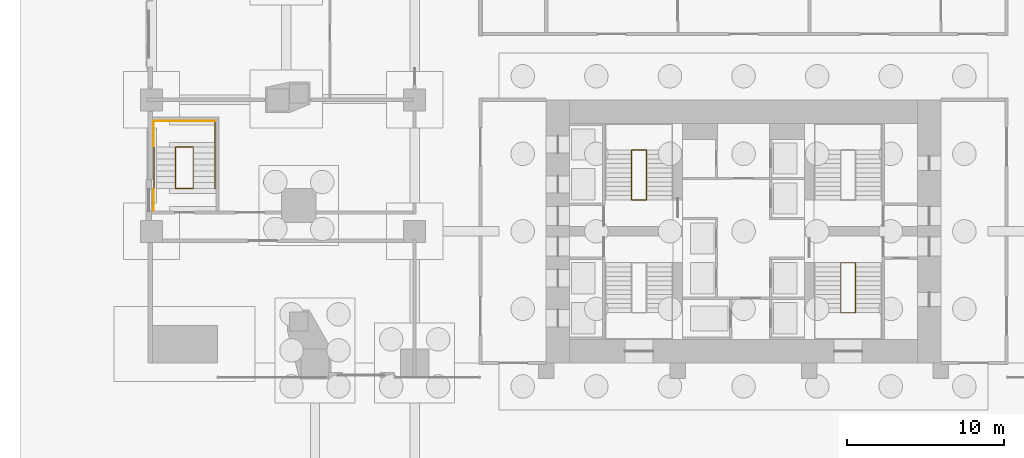
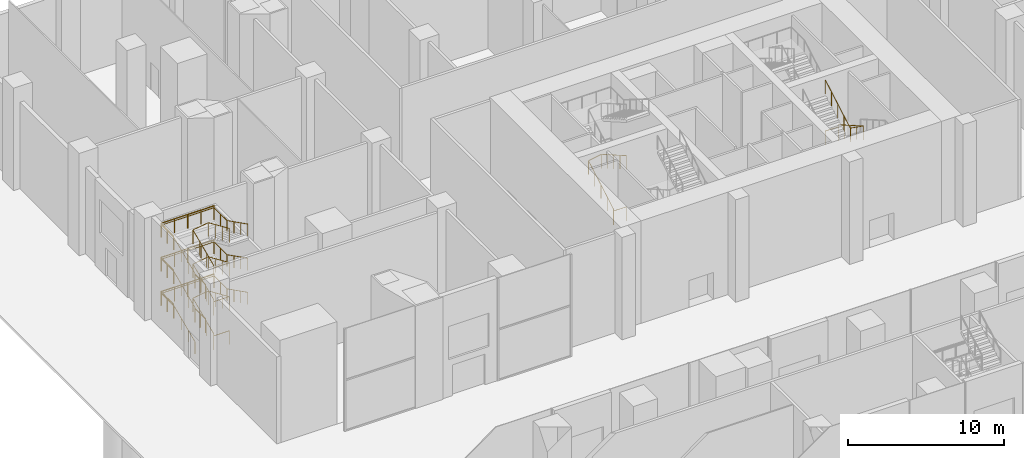
# One storey, part 26 of 31: 16 railings.
"""IFC4 building model written with IfcOpenShell, lengths in metres."""

from ifc_helpers import new_model, si_unit, direction, frame, origin, origin_2d, place, context, subcontext, project, spatial, circle, extrude, material, type_object, element, save


model = new_model("IFC4")

# Units and contexts
model_context = context("Model", 3, precision=1e-05, world=origin(), true_north=direction((0.0, 1.0)))
body_context = subcontext(model_context, "Body", "Model", "MODEL_VIEW")
ifc_project = project(units=[si_unit("LENGTHUNIT", "METRE"), si_unit("AREAUNIT", "SQUARE_METRE"), si_unit("VOLUMEUNIT", "CUBIC_METRE"), si_unit("PLANEANGLEUNIT", "RADIAN"), si_unit("MASSUNIT", "GRAM", prefix="KILO")], contexts=[model_context])

# Site, building, storey
site_placement = place(None, origin())
site = spatial("IfcSite", under=ifc_project, at=site_placement, CompositionType="ELEMENT")
building_placement = place(site_placement, origin())
building = spatial("IfcBuilding", under=site, at=building_placement, Name="Marenta Gate Hotel Tower", CompositionType="ELEMENT")
storey_placement = place(building_placement, origin())
storey = spatial("IfcBuildingStorey", under=building, at=storey_placement, Name="L00", CompositionType="ELEMENT", Elevation=0.0)

# Railings
ifc_material_1 = material(Name="Stainless steel", Category="steel")
railing_type_1 = type_object("IfcRailingType", Name="Core stair handrail 950", PredefinedType="HANDRAIL", material=ifc_material_1)
railing_1_placement = place(storey_placement, frame((-37.64990234375, 11.1298828125, 0.166748046875)))
element("IfcRailing", 1, at=railing_1_placement, inside=storey, type_object=railing_type_1, Name="HR-950 L00-KR-PX6-2", PredefinedType="HANDRAIL", context=body_context, shape_type="SweptSolid", body=[
    extrude(circle(Radius=0.02392578125, at=origin_2d()), frame((0.0, 0.0, 0.92578125), z_axis=(0.0, 0.915817496131, 0.401594713337), x_axis=(-1.0, 0.0, 0.0)), (0.0, 0.0, 1.0), 2.90478515625),
    extrude(circle(Radius=0.02392578125, at=origin_2d()), frame((0.0, 2.66015625, 2.09228515625), z_axis=(0.0, 1.0, 0.0), x_axis=(-1.0, 0.0, 0.0)), (0.0, 0.0, 1.0), 1.659912109375),
    extrude(circle(Radius=0.02392578125, at=origin_2d()), frame((0.0, 4.320068359375, 2.09228515625), z_axis=(1.0, 0.0, 0.0), x_axis=(0.0, 1.0, 0.0)), (0.0, 0.0, 1.0), 3.89990234375),
    extrude(circle(Radius=0.02392578125, at=origin_2d()), frame((3.89990234375, 4.320068359375, 2.09228515625), z_axis=(0.0, -1.0, 0.0), x_axis=(1.0, 0.0, 0.0)), (0.0, 0.0, 1.0), 1.659912109375),
    extrude(circle(Radius=0.02392578125, at=origin_2d()), frame((3.89990234375, 2.66015625, 2.09228515625), z_axis=(0.0, -0.893967264428, 0.448132268567), x_axis=(1.0, 0.0, 0.0)), (0.0, 0.0, 1.0), 2.9755859375),
    extrude(circle(Radius=0.02099609375, at=origin_2d()), origin(), (0.0, 0.0, 1.0), 0.90185546875),
    extrude(circle(Radius=0.02099609375, at=origin_2d()), frame((0.0, 0.88671875, 0.388916015625)), (0.0, 0.0, 1.0), 0.90185546875),
    extrude(circle(Radius=0.02099609375, at=origin_2d()), frame((0.0, 1.7734375, 0.777587890625)), (0.0, 0.0, 1.0), 0.90185546875),
    extrude(circle(Radius=0.02099609375, at=origin_2d()), frame((0.0, 2.66015625, 1.16650390625)), (0.0, 0.0, 1.0), 0.90185546875),
    extrude(circle(Radius=0.02099609375, at=origin_2d()), frame((0.0, 3.490234375, 1.16650390625)), (0.0, 0.0, 1.0), 0.90185546875),
    extrude(circle(Radius=0.02099609375, at=origin_2d()), frame((0.0, 4.320068359375, 1.16650390625)), (0.0, 0.0, 1.0), 0.90185546875),
    extrude(circle(Radius=0.02099609375, at=origin_2d()), frame((0.97509765625, 4.320068359375, 1.16650390625)), (0.0, 0.0, 1.0), 0.90185546875),
    extrude(circle(Radius=0.02099609375, at=origin_2d()), frame((1.949951171875, 4.320068359375, 1.16650390625)), (0.0, 0.0, 1.0), 0.90185546875),
    extrude(circle(Radius=0.02099609375, at=origin_2d()), frame((2.9248046875, 4.320068359375, 1.16650390625)), (0.0, 0.0, 1.0), 0.90185546875),
    extrude(circle(Radius=0.02099609375, at=origin_2d()), frame((3.89990234375, 4.320068359375, 1.16650390625)), (0.0, 0.0, 1.0), 0.90185546875),
    extrude(circle(Radius=0.02099609375, at=origin_2d()), frame((3.89990234375, 3.490234375, 1.16650390625)), (0.0, 0.0, 1.0), 0.90185546875),
    extrude(circle(Radius=0.02099609375, at=origin_2d()), frame((3.89990234375, 2.66015625, 1.16650390625)), (0.0, 0.0, 1.0), 0.90185546875),
    extrude(circle(Radius=0.02099609375, at=origin_2d()), frame((3.89990234375, 1.7734375, 1.611083984375)), (0.0, 0.0, 1.0), 0.90185546875),
    extrude(circle(Radius=0.02099609375, at=origin_2d()), frame((3.89990234375, 0.88671875, 2.055419921875)), (0.0, 0.0, 1.0), 0.90185546875),
    extrude(circle(Radius=0.02099609375, at=origin_2d()), frame((3.89990234375, 0.0, 2.5)), (0.0, 0.0, 1.0), 0.90185546875),
])
railing_2_placement = place(storey_placement, frame((-37.64990234375, 11.1298828125, 2.833251953125)))
element("IfcRailing", 2, at=railing_2_placement, inside=storey, type_object=railing_type_1, Name="HR-950 L00-KR-PX6-5", PredefinedType="HANDRAIL", context=body_context, shape_type="SweptSolid", body=[
    extrude(circle(Radius=0.02392578125, at=origin_2d()), frame((0.0, 0.0, 0.92578125), z_axis=(0.0, 0.915786581632, 0.401665204994), x_axis=(-1.0, 0.0, 0.0)), (0.0, 0.0, 1.0), 2.90478515625),
    extrude(circle(Radius=0.02392578125, at=origin_2d()), frame((0.0, 2.66015625, 2.0927734375), z_axis=(0.0, 1.0, 0.0), x_axis=(-1.0, 0.0, 0.0)), (0.0, 0.0, 1.0), 1.659912109375),
    extrude(circle(Radius=0.02392578125, at=origin_2d()), frame((0.0, 4.320068359375, 2.0927734375), z_axis=(1.0, 0.0, 0.0), x_axis=(0.0, 1.0, 0.0)), (0.0, 0.0, 1.0), 3.89990234375),
    extrude(circle(Radius=0.02392578125, at=origin_2d()), frame((3.89990234375, 4.320068359375, 2.0927734375), z_axis=(0.0, -1.0, 0.0), x_axis=(1.0, 0.0, 0.0)), (0.0, 0.0, 1.0), 1.659912109375),
    extrude(circle(Radius=0.02392578125, at=origin_2d()), frame((3.89990234375, 2.66015625, 2.0927734375), z_axis=(0.0, -0.894000131919, 0.448066696073), x_axis=(1.0, 0.0, 0.0)), (0.0, 0.0, 1.0), 2.9755859375),
    extrude(circle(Radius=0.02099609375, at=origin_2d()), origin(), (0.0, 0.0, 1.0), 0.90185546875),
    extrude(circle(Radius=0.02099609375, at=origin_2d()), frame((0.0, 0.88671875, 0.388916015625)), (0.0, 0.0, 1.0), 0.90185546875),
    extrude(circle(Radius=0.02099609375, at=origin_2d()), frame((0.0, 1.7734375, 0.77783203125)), (0.0, 0.0, 1.0), 0.90185546875),
    extrude(circle(Radius=0.02099609375, at=origin_2d()), frame((0.0, 2.66015625, 1.166748046875)), (0.0, 0.0, 1.0), 0.90185546875),
    extrude(circle(Radius=0.02099609375, at=origin_2d()), frame((0.0, 3.490234375, 1.166748046875)), (0.0, 0.0, 1.0), 0.90185546875),
    extrude(circle(Radius=0.02099609375, at=origin_2d()), frame((0.0, 4.320068359375, 1.166748046875)), (0.0, 0.0, 1.0), 0.90185546875),
    extrude(circle(Radius=0.02099609375, at=origin_2d()), frame((0.97509765625, 4.320068359375, 1.166748046875)), (0.0, 0.0, 1.0), 0.90185546875),
    extrude(circle(Radius=0.02099609375, at=origin_2d()), frame((1.949951171875, 4.320068359375, 1.166748046875)), (0.0, 0.0, 1.0), 0.90185546875),
    extrude(circle(Radius=0.02099609375, at=origin_2d()), frame((2.9248046875, 4.320068359375, 1.166748046875)), (0.0, 0.0, 1.0), 0.90185546875),
    extrude(circle(Radius=0.02099609375, at=origin_2d()), frame((3.89990234375, 4.320068359375, 1.166748046875)), (0.0, 0.0, 1.0), 0.90185546875),
    extrude(circle(Radius=0.02099609375, at=origin_2d()), frame((3.89990234375, 3.490234375, 1.166748046875)), (0.0, 0.0, 1.0), 0.90185546875),
    extrude(circle(Radius=0.02099609375, at=origin_2d()), frame((3.89990234375, 2.66015625, 1.166748046875)), (0.0, 0.0, 1.0), 0.90185546875),
    extrude(circle(Radius=0.02099609375, at=origin_2d()), frame((3.89990234375, 1.7734375, 1.611083984375)), (0.0, 0.0, 1.0), 0.90185546875),
    extrude(circle(Radius=0.02099609375, at=origin_2d()), frame((3.89990234375, 0.88671875, 2.0556640625)), (0.0, 0.0, 1.0), 0.90185546875),
    extrude(circle(Radius=0.02099609375, at=origin_2d()), frame((3.89990234375, 0.0, 2.5)), (0.0, 0.0, 1.0), 0.90185546875),
])
railing_3_placement = place(storey_placement, frame((-37.64990234375, 11.1298828125, 5.5)))
element("IfcRailing", 3, at=railing_3_placement, inside=storey, type_object=railing_type_1, Name="HR-950 L00-KR-PX6-8", PredefinedType="HANDRAIL", context=body_context, shape_type="SweptSolid", body=[
    extrude(circle(Radius=0.02392578125, at=origin_2d()), frame((0.0, 0.0, 0.92578125), z_axis=(0.0, 0.915786581632, 0.401665204994), x_axis=(-1.0, 0.0, 0.0)), (0.0, 0.0, 1.0), 2.90478515625),
    extrude(circle(Radius=0.02392578125, at=origin_2d()), frame((0.0, 2.66015625, 2.0927734375), z_axis=(0.0, 1.0, 0.0), x_axis=(-1.0, 0.0, 0.0)), (0.0, 0.0, 1.0), 1.659912109375),
    extrude(circle(Radius=0.02392578125, at=origin_2d()), frame((0.0, 4.320068359375, 2.0927734375), z_axis=(1.0, 0.0, 0.0), x_axis=(0.0, 1.0, 0.0)), (0.0, 0.0, 1.0), 3.89990234375),
    extrude(circle(Radius=0.02392578125, at=origin_2d()), frame((3.89990234375, 4.320068359375, 2.0927734375), z_axis=(0.0, -1.0, 0.0), x_axis=(1.0, 0.0, 0.0)), (0.0, 0.0, 1.0), 1.659912109375),
    extrude(circle(Radius=0.02392578125, at=origin_2d()), frame((3.89990234375, 2.66015625, 2.0927734375), z_axis=(0.0, -0.894000131919, 0.448066696073), x_axis=(1.0, 0.0, 0.0)), (0.0, 0.0, 1.0), 2.9755859375),
    extrude(circle(Radius=0.02099609375, at=origin_2d()), origin(), (0.0, 0.0, 1.0), 0.90185546875),
    extrude(circle(Radius=0.02099609375, at=origin_2d()), frame((0.0, 0.88671875, 0.388916015625)), (0.0, 0.0, 1.0), 0.90185546875),
    extrude(circle(Radius=0.02099609375, at=origin_2d()), frame((0.0, 1.7734375, 0.77783203125)), (0.0, 0.0, 1.0), 0.90185546875),
    extrude(circle(Radius=0.02099609375, at=origin_2d()), frame((0.0, 2.66015625, 1.166748046875)), (0.0, 0.0, 1.0), 0.90185546875),
    extrude(circle(Radius=0.02099609375, at=origin_2d()), frame((0.0, 3.490234375, 1.166748046875)), (0.0, 0.0, 1.0), 0.90185546875),
    extrude(circle(Radius=0.02099609375, at=origin_2d()), frame((0.0, 4.320068359375, 1.166748046875)), (0.0, 0.0, 1.0), 0.90185546875),
    extrude(circle(Radius=0.02099609375, at=origin_2d()), frame((0.97509765625, 4.320068359375, 1.166748046875)), (0.0, 0.0, 1.0), 0.90185546875),
    extrude(circle(Radius=0.02099609375, at=origin_2d()), frame((1.949951171875, 4.320068359375, 1.166748046875)), (0.0, 0.0, 1.0), 0.90185546875),
    extrude(circle(Radius=0.02099609375, at=origin_2d()), frame((2.9248046875, 4.320068359375, 1.166748046875)), (0.0, 0.0, 1.0), 0.90185546875),
    extrude(circle(Radius=0.02099609375, at=origin_2d()), frame((3.89990234375, 4.320068359375, 1.166748046875)), (0.0, 0.0, 1.0), 0.90185546875),
    extrude(circle(Radius=0.02099609375, at=origin_2d()), frame((3.89990234375, 3.490234375, 1.166748046875)), (0.0, 0.0, 1.0), 0.90185546875),
    extrude(circle(Radius=0.02099609375, at=origin_2d()), frame((3.89990234375, 2.66015625, 1.166748046875)), (0.0, 0.0, 1.0), 0.90185546875),
    extrude(circle(Radius=0.02099609375, at=origin_2d()), frame((3.89990234375, 1.7734375, 1.611083984375)), (0.0, 0.0, 1.0), 0.90185546875),
    extrude(circle(Radius=0.02099609375, at=origin_2d()), frame((3.89990234375, 0.88671875, 2.0556640625)), (0.0, 0.0, 1.0), 0.90185546875),
    extrude(circle(Radius=0.02099609375, at=origin_2d()), frame((3.89990234375, 0.0, 2.5)), (0.0, 0.0, 1.0), 0.90185546875),
])
ifc_material_2 = material(Name="Stainless steel", Category="steel")
railing_type_2 = type_object("IfcRailingType", Name="Core stair well guard 1100", PredefinedType="GUARDRAIL", material=ifc_material_2)
railing_4_placement = place(storey_placement, frame((-6.199951171875, 10.39990234375, 0.0)))
element("IfcRailing", 4, at=railing_4_placement, inside=storey, type_object=railing_type_2, Name="GR-1100 L00-KR-ST2-2", PredefinedType="GUARDRAIL", context=body_context, shape_type="SweptSolid", body=[
    extrude(circle(Radius=0.02392578125, at=origin_2d()), frame((0.0, 0.0, 1.076171875), z_axis=(-1.0, 0.0, 0.0), x_axis=(0.0, -1.0, 0.0)), (0.0, 0.0, 1.0), 0.949951171875),
    extrude(circle(Radius=0.02392578125, at=origin_2d()), frame((-0.949951171875, 0.0, 1.076171875), z_axis=(0.0, 0.0, 1.0), x_axis=(1.0, 0.0, 0.0)), (0.0, 0.0, 1.0), 0.166748046875),
    extrude(circle(Radius=0.02392578125, at=origin_2d()), frame((-0.949951171875, 0.0, 1.24267578125), z_axis=(0.0, 0.8670360191, 0.498245463184), x_axis=(-1.0, 0.0, 0.0)), (0.0, 0.0, 1.0), 3.679443359375),
    extrude(circle(Radius=0.02392578125, at=origin_2d()), frame((-0.949951171875, 3.190185546875, 3.076171875), z_axis=(0.984941147704, 0.0, 0.172889952167), x_axis=(0.0, 1.0, 0.0)), (0.0, 0.0, 1.0), 0.96435546875),
    extrude(circle(Radius=0.02392578125, at=origin_2d()), frame((0.0, 3.190185546875, 3.24267578125), z_axis=(0.0, -0.8670360191, 0.498245463184), x_axis=(1.0, 0.0, 0.0)), (0.0, 0.0, 1.0), 3.679443359375),
    extrude(circle(Radius=0.02099609375, at=origin_2d()), origin(), (0.0, 0.0, 1.0), 1.052001953125),
    extrude(circle(Radius=0.02099609375, at=origin_2d()), frame((-0.949951171875, 0.0, 0.0)), (0.0, 0.0, 1.0), 1.052001953125),
    extrude(circle(Radius=0.02099609375, at=origin_2d()), frame((-0.949951171875, 0.0, 0.166748046875)), (0.0, 0.0, 1.0), 1.052001953125),
    extrude(circle(Radius=0.02099609375, at=origin_2d()), frame((-0.949951171875, 0.797607421875, 0.625)), (0.0, 0.0, 1.0), 1.052001953125),
    extrude(circle(Radius=0.02099609375, at=origin_2d()), frame((-0.949951171875, 1.59521484375, 1.08349609375)), (0.0, 0.0, 1.0), 1.052001953125),
    extrude(circle(Radius=0.02099609375, at=origin_2d()), frame((-0.949951171875, 2.392578125, 1.541748046875)), (0.0, 0.0, 1.0), 1.052001953125),
    extrude(circle(Radius=0.02099609375, at=origin_2d()), frame((-0.949951171875, 3.190185546875, 2.0)), (0.0, 0.0, 1.0), 1.052001953125),
    extrude(circle(Radius=0.02099609375, at=origin_2d()), frame((0.0, 3.190185546875, 2.166748046875)), (0.0, 0.0, 1.0), 1.052001953125),
    extrude(circle(Radius=0.02099609375, at=origin_2d()), frame((0.0, 2.392578125, 2.625)), (0.0, 0.0, 1.0), 1.052001953125),
    extrude(circle(Radius=0.02099609375, at=origin_2d()), frame((0.0, 1.59521484375, 3.08349609375)), (0.0, 0.0, 1.0), 1.052001953125),
    extrude(circle(Radius=0.02099609375, at=origin_2d()), frame((0.0, 0.797607421875, 3.541748046875)), (0.0, 0.0, 1.0), 1.052001953125),
    extrude(circle(Radius=0.02099609375, at=origin_2d()), frame((0.0, 0.0, 4.0)), (0.0, 0.0, 1.0), 1.052001953125),
])
railing_5_placement = place(storey_placement, frame((6.199951171875, 6.39990234375, 4.0)))
element("IfcRailing", 5, at=railing_5_placement, inside=storey, type_object=railing_type_2, Name="GR-1100 L00-KR-ST3-4", PredefinedType="GUARDRAIL", context=body_context, shape_type="SweptSolid", body=[
    extrude(circle(Radius=0.02392578125, at=origin_2d()), frame((0.0, 0.0, 1.076171875), z_axis=(1.0, 0.0, 0.0), x_axis=(0.0, 1.0, 0.0)), (0.0, 0.0, 1.0), 0.949951171875),
    extrude(circle(Radius=0.02392578125, at=origin_2d()), frame((0.949951171875, 0.0, 1.076171875), z_axis=(0.0, 0.0, 1.0), x_axis=(1.0, 0.0, 0.0)), (0.0, 0.0, 1.0), 0.166748046875),
    extrude(circle(Radius=0.02392578125, at=origin_2d()), frame((0.949951171875, 0.0, 1.24267578125), z_axis=(0.0, -0.867019545617, 0.498274128887), x_axis=(1.0, 0.0, 0.0)), (0.0, 0.0, 1.0), 3.67919921875),
    extrude(circle(Radius=0.02392578125, at=origin_2d()), frame((0.949951171875, -3.18994140625, 3.076171875), z_axis=(-0.984941147704, 0.0, 0.172889952167), x_axis=(0.0, -1.0, 0.0)), (0.0, 0.0, 1.0), 0.96435546875),
    extrude(circle(Radius=0.02392578125, at=origin_2d()), frame((0.0, -3.18994140625, 3.24267578125), z_axis=(0.0, 0.867019545617, 0.498274128887), x_axis=(-1.0, 0.0, 0.0)), (0.0, 0.0, 1.0), 3.67919921875),
    extrude(circle(Radius=0.02099609375, at=origin_2d()), origin(), (0.0, 0.0, 1.0), 1.052001953125),
    extrude(circle(Radius=0.02099609375, at=origin_2d()), frame((0.949951171875, 0.0, 0.0)), (0.0, 0.0, 1.0), 1.052001953125),
    extrude(circle(Radius=0.02099609375, at=origin_2d()), frame((0.949951171875, 0.0, 0.166748046875)), (0.0, 0.0, 1.0), 1.052001953125),
    extrude(circle(Radius=0.02099609375, at=origin_2d()), frame((0.949951171875, -0.79736328125, 0.625)), (0.0, 0.0, 1.0), 1.052001953125),
    extrude(circle(Radius=0.02099609375, at=origin_2d()), frame((0.949951171875, -1.594970703125, 1.08349609375)), (0.0, 0.0, 1.0), 1.052001953125),
    extrude(circle(Radius=0.02099609375, at=origin_2d()), frame((0.949951171875, -2.392578125, 1.541748046875)), (0.0, 0.0, 1.0), 1.052001953125),
    extrude(circle(Radius=0.02099609375, at=origin_2d()), frame((0.949951171875, -3.18994140625, 2.0)), (0.0, 0.0, 1.0), 1.052001953125),
    extrude(circle(Radius=0.02099609375, at=origin_2d()), frame((0.0, -3.18994140625, 2.166748046875)), (0.0, 0.0, 1.0), 1.052001953125),
    extrude(circle(Radius=0.02099609375, at=origin_2d()), frame((0.0, -2.392578125, 2.625)), (0.0, 0.0, 1.0), 1.052001953125),
    extrude(circle(Radius=0.02099609375, at=origin_2d()), frame((0.0, -1.594970703125, 3.08349609375)), (0.0, 0.0, 1.0), 1.052001953125),
    extrude(circle(Radius=0.02099609375, at=origin_2d()), frame((0.0, -0.79736328125, 3.541748046875)), (0.0, 0.0, 1.0), 1.052001953125),
    extrude(circle(Radius=0.02099609375, at=origin_2d()), frame((0.0, 0.0, 4.0)), (0.0, 0.0, 1.0), 1.052001953125),
])
railing_6_placement = place(storey_placement, frame((-37.64990234375, 15.449951171875, 1.333251953125)))
element("IfcRailing", 6, at=railing_6_placement, inside=storey, type_object=railing_type_2, Name="GR-1100 L00-KR-PX6-1", PredefinedType="GUARDRAIL", context=body_context, shape_type="SweptSolid", body=[
    extrude(circle(Radius=0.02392578125, at=origin_2d()), frame((0.0, 0.0, 1.076171875), z_axis=(1.0, 0.0, 0.0), x_axis=(0.0, 1.0, 0.0)), (0.0, 0.0, 1.0), 3.89990234375),
    extrude(circle(Radius=0.02099609375, at=origin_2d()), origin(), (0.0, 0.0, 1.0), 1.052001953125),
    extrude(circle(Radius=0.02099609375, at=origin_2d()), frame((0.97509765625, 0.0, 0.0)), (0.0, 0.0, 1.0), 1.052001953125),
    extrude(circle(Radius=0.02099609375, at=origin_2d()), frame((1.949951171875, 0.0, 0.0)), (0.0, 0.0, 1.0), 1.052001953125),
    extrude(circle(Radius=0.02099609375, at=origin_2d()), frame((2.9248046875, 0.0, 0.0)), (0.0, 0.0, 1.0), 1.052001953125),
    extrude(circle(Radius=0.02099609375, at=origin_2d()), frame((3.89990234375, 0.0, 0.0)), (0.0, 0.0, 1.0), 1.052001953125),
])
railing_7_placement = place(storey_placement, frame((-35.1298828125, 11.1298828125, 0.0)))
element("IfcRailing", 7, at=railing_7_placement, inside=storey, type_object=railing_type_2, Name="GR-1100 L00-KR-PX6-3", PredefinedType="GUARDRAIL", context=body_context, shape_type="SweptSolid", body=[
    extrude(circle(Radius=0.02392578125, at=origin_2d()), frame((0.0, 0.0, 1.076171875), z_axis=(-1.0, 0.0, 0.0), x_axis=(0.0, -1.0, 0.0)), (0.0, 0.0, 1.0), 1.14013671875),
    extrude(circle(Radius=0.02392578125, at=origin_2d()), frame((-1.14013671875, 0.0, 1.076171875), z_axis=(0.0, 0.0, 1.0), x_axis=(1.0, 0.0, 0.0)), (0.0, 0.0, 1.0), 0.166748046875),
    extrude(circle(Radius=0.02392578125, at=origin_2d()), frame((-1.14013671875, 0.0, 1.24267578125), z_axis=(0.0, 0.915817496131, 0.401594713337), x_axis=(-1.0, 0.0, 0.0)), (0.0, 0.0, 1.0), 2.90478515625),
    extrude(circle(Radius=0.02392578125, at=origin_2d()), frame((-1.14013671875, 2.66015625, 2.4091796875), z_axis=(0.989473647251, 0.0, 0.144713169394), x_axis=(0.0, 1.0, 0.0)), (0.0, 0.0, 1.0), 1.15234375),
    extrude(circle(Radius=0.02392578125, at=origin_2d()), frame((0.0, 2.66015625, 2.576171875), z_axis=(0.0, -0.915786581632, 0.401665204994), x_axis=(1.0, 0.0, 0.0)), (0.0, 0.0, 1.0), 2.90478515625),
    extrude(circle(Radius=0.02099609375, at=origin_2d()), origin(), (0.0, 0.0, 1.0), 1.052001953125),
    extrude(circle(Radius=0.02099609375, at=origin_2d()), frame((-1.14013671875, 0.0, 0.0)), (0.0, 0.0, 1.0), 1.052001953125),
    extrude(circle(Radius=0.02099609375, at=origin_2d()), frame((-1.14013671875, 0.0, 0.166748046875)), (0.0, 0.0, 1.0), 1.052001953125),
    extrude(circle(Radius=0.02099609375, at=origin_2d()), frame((-1.14013671875, 0.88671875, 0.5556640625)), (0.0, 0.0, 1.0), 1.052001953125),
    extrude(circle(Radius=0.02099609375, at=origin_2d()), frame((-1.14013671875, 1.7734375, 0.9443359375)), (0.0, 0.0, 1.0), 1.052001953125),
    extrude(circle(Radius=0.02099609375, at=origin_2d()), frame((-1.14013671875, 2.66015625, 1.333251953125)), (0.0, 0.0, 1.0), 1.052001953125),
    extrude(circle(Radius=0.02099609375, at=origin_2d()), frame((0.0, 2.66015625, 1.5)), (0.0, 0.0, 1.0), 1.052001953125),
    extrude(circle(Radius=0.02099609375, at=origin_2d()), frame((0.0, 1.7734375, 1.888916015625)), (0.0, 0.0, 1.0), 1.052001953125),
    extrude(circle(Radius=0.02099609375, at=origin_2d()), frame((0.0, 0.88671875, 2.27783203125)), (0.0, 0.0, 1.0), 1.052001953125),
    extrude(circle(Radius=0.02099609375, at=origin_2d()), frame((0.0, 0.0, 2.666748046875)), (0.0, 0.0, 1.0), 1.052001953125),
])
railing_8_placement = place(storey_placement, frame((-37.64990234375, 15.449951171875, 4.0)))
element("IfcRailing", 8, at=railing_8_placement, inside=storey, type_object=railing_type_2, Name="GR-1100 L00-KR-PX6-4", PredefinedType="GUARDRAIL", context=body_context, shape_type="SweptSolid", body=[
    extrude(circle(Radius=0.02392578125, at=origin_2d()), frame((0.0, 0.0, 1.076171875), z_axis=(1.0, 0.0, 0.0), x_axis=(0.0, 1.0, 0.0)), (0.0, 0.0, 1.0), 3.89990234375),
    extrude(circle(Radius=0.02099609375, at=origin_2d()), origin(), (0.0, 0.0, 1.0), 1.052001953125),
    extrude(circle(Radius=0.02099609375, at=origin_2d()), frame((0.97509765625, 0.0, 0.0)), (0.0, 0.0, 1.0), 1.052001953125),
    extrude(circle(Radius=0.02099609375, at=origin_2d()), frame((1.949951171875, 0.0, 0.0)), (0.0, 0.0, 1.0), 1.052001953125),
    extrude(circle(Radius=0.02099609375, at=origin_2d()), frame((2.9248046875, 0.0, 0.0)), (0.0, 0.0, 1.0), 1.052001953125),
    extrude(circle(Radius=0.02099609375, at=origin_2d()), frame((3.89990234375, 0.0, 0.0)), (0.0, 0.0, 1.0), 1.052001953125),
])
railing_9_placement = place(storey_placement, frame((-35.1298828125, 11.1298828125, 2.666748046875)))
element("IfcRailing", 9, at=railing_9_placement, inside=storey, type_object=railing_type_2, Name="GR-1100 L00-KR-PX6-6", PredefinedType="GUARDRAIL", context=body_context, shape_type="SweptSolid", body=[
    extrude(circle(Radius=0.02392578125, at=origin_2d()), frame((0.0, 0.0, 1.076171875), z_axis=(-1.0, 0.0, 0.0), x_axis=(0.0, -1.0, 0.0)), (0.0, 0.0, 1.0), 1.14013671875),
    extrude(circle(Radius=0.02392578125, at=origin_2d()), frame((-1.14013671875, 0.0, 1.076171875), z_axis=(0.0, 0.0, 1.0), x_axis=(1.0, 0.0, 0.0)), (0.0, 0.0, 1.0), 0.16650390625),
    extrude(circle(Radius=0.02392578125, at=origin_2d()), frame((-1.14013671875, 0.0, 1.24267578125), z_axis=(0.0, 0.915786581632, 0.401665204994), x_axis=(-1.0, 0.0, 0.0)), (0.0, 0.0, 1.0), 2.90478515625),
    extrude(circle(Radius=0.02392578125, at=origin_2d()), frame((-1.14013671875, 2.66015625, 2.4091796875), z_axis=(0.989473647251, 0.0, 0.144713169394), x_axis=(0.0, 1.0, 0.0)), (0.0, 0.0, 1.0), 1.15234375),
    extrude(circle(Radius=0.02392578125, at=origin_2d()), frame((0.0, 2.66015625, 2.576171875), z_axis=(0.0, -0.915817496131, 0.401594713337), x_axis=(1.0, 0.0, 0.0)), (0.0, 0.0, 1.0), 2.90478515625),
    extrude(circle(Radius=0.02099609375, at=origin_2d()), origin(), (0.0, 0.0, 1.0), 1.052001953125),
    extrude(circle(Radius=0.02099609375, at=origin_2d()), frame((-1.14013671875, 0.0, 0.0)), (0.0, 0.0, 1.0), 1.052001953125),
    extrude(circle(Radius=0.02099609375, at=origin_2d()), frame((-1.14013671875, 0.0, 0.16650390625)), (0.0, 0.0, 1.0), 1.052001953125),
    extrude(circle(Radius=0.02099609375, at=origin_2d()), frame((-1.14013671875, 0.88671875, 0.555419921875)), (0.0, 0.0, 1.0), 1.052001953125),
    extrude(circle(Radius=0.02099609375, at=origin_2d()), frame((-1.14013671875, 1.7734375, 0.9443359375)), (0.0, 0.0, 1.0), 1.052001953125),
    extrude(circle(Radius=0.02099609375, at=origin_2d()), frame((-1.14013671875, 2.66015625, 1.333251953125)), (0.0, 0.0, 1.0), 1.052001953125),
    extrude(circle(Radius=0.02099609375, at=origin_2d()), frame((0.0, 2.66015625, 1.5)), (0.0, 0.0, 1.0), 1.052001953125),
    extrude(circle(Radius=0.02099609375, at=origin_2d()), frame((0.0, 1.7734375, 1.888916015625)), (0.0, 0.0, 1.0), 1.052001953125),
    extrude(circle(Radius=0.02099609375, at=origin_2d()), frame((0.0, 0.88671875, 2.277587890625)), (0.0, 0.0, 1.0), 1.052001953125),
    extrude(circle(Radius=0.02099609375, at=origin_2d()), frame((0.0, 0.0, 2.66650390625)), (0.0, 0.0, 1.0), 1.052001953125),
])
railing_10_placement = place(storey_placement, frame((-37.64990234375, 15.449951171875, 6.666748046875)))
element("IfcRailing", 10, at=railing_10_placement, inside=storey, type_object=railing_type_2, Name="GR-1100 L00-KR-PX6-7", PredefinedType="GUARDRAIL", context=body_context, shape_type="SweptSolid", body=[
    extrude(circle(Radius=0.02392578125, at=origin_2d()), frame((0.0, 0.0, 1.076171875), z_axis=(1.0, 0.0, 0.0), x_axis=(0.0, 1.0, 0.0)), (0.0, 0.0, 1.0), 3.89990234375),
    extrude(circle(Radius=0.02099609375, at=origin_2d()), origin(), (0.0, 0.0, 1.0), 1.052001953125),
    extrude(circle(Radius=0.02099609375, at=origin_2d()), frame((0.97509765625, 0.0, 0.0)), (0.0, 0.0, 1.0), 1.052001953125),
    extrude(circle(Radius=0.02099609375, at=origin_2d()), frame((1.949951171875, 0.0, 0.0)), (0.0, 0.0, 1.0), 1.052001953125),
    extrude(circle(Radius=0.02099609375, at=origin_2d()), frame((2.9248046875, 0.0, 0.0)), (0.0, 0.0, 1.0), 1.052001953125),
    extrude(circle(Radius=0.02099609375, at=origin_2d()), frame((3.89990234375, 0.0, 0.0)), (0.0, 0.0, 1.0), 1.052001953125),
])
railing_11_placement = place(storey_placement, frame((-35.1298828125, 11.1298828125, 5.333251953125)))
element("IfcRailing", 11, at=railing_11_placement, inside=storey, type_object=railing_type_2, Name="GR-1100 L00-KR-PX6-9", PredefinedType="GUARDRAIL", context=body_context, shape_type="SweptSolid", body=[
    extrude(circle(Radius=0.02392578125, at=origin_2d()), frame((0.0, 0.0, 1.076171875), z_axis=(-1.0, 0.0, 0.0), x_axis=(0.0, -1.0, 0.0)), (0.0, 0.0, 1.0), 1.14013671875),
    extrude(circle(Radius=0.02392578125, at=origin_2d()), frame((-1.14013671875, 0.0, 1.076171875), z_axis=(0.0, 0.0, 1.0), x_axis=(1.0, 0.0, 0.0)), (0.0, 0.0, 1.0), 0.166748046875),
    extrude(circle(Radius=0.02392578125, at=origin_2d()), frame((-1.14013671875, 0.0, 1.24267578125), z_axis=(0.0, 0.915786581632, 0.401665204994), x_axis=(-1.0, 0.0, 0.0)), (0.0, 0.0, 1.0), 2.90478515625),
    extrude(circle(Radius=0.02392578125, at=origin_2d()), frame((-1.14013671875, 2.66015625, 2.40966796875), z_axis=(0.989503965321, 0.0, 0.144505718276), x_axis=(0.0, 1.0, 0.0)), (0.0, 0.0, 1.0), 1.15234375),
    extrude(circle(Radius=0.02392578125, at=origin_2d()), frame((0.0, 2.66015625, 2.576171875), z_axis=(0.0, -0.915786581632, 0.401665204994), x_axis=(1.0, 0.0, 0.0)), (0.0, 0.0, 1.0), 2.90478515625),
    extrude(circle(Radius=0.02099609375, at=origin_2d()), origin(), (0.0, 0.0, 1.0), 1.052001953125),
    extrude(circle(Radius=0.02099609375, at=origin_2d()), frame((-1.14013671875, 0.0, 0.0)), (0.0, 0.0, 1.0), 1.052001953125),
    extrude(circle(Radius=0.02099609375, at=origin_2d()), frame((-1.14013671875, 0.0, 0.166748046875)), (0.0, 0.0, 1.0), 1.052001953125),
    extrude(circle(Radius=0.02099609375, at=origin_2d()), frame((-1.14013671875, 0.88671875, 0.5556640625)), (0.0, 0.0, 1.0), 1.052001953125),
    extrude(circle(Radius=0.02099609375, at=origin_2d()), frame((-1.14013671875, 1.7734375, 0.944580078125)), (0.0, 0.0, 1.0), 1.052001953125),
    extrude(circle(Radius=0.02099609375, at=origin_2d()), frame((-1.14013671875, 2.66015625, 1.33349609375)), (0.0, 0.0, 1.0), 1.052001953125),
    extrude(circle(Radius=0.02099609375, at=origin_2d()), frame((0.0, 2.66015625, 1.5)), (0.0, 0.0, 1.0), 1.052001953125),
    extrude(circle(Radius=0.02099609375, at=origin_2d()), frame((0.0, 1.7734375, 1.888916015625)), (0.0, 0.0, 1.0), 1.052001953125),
    extrude(circle(Radius=0.02099609375, at=origin_2d()), frame((0.0, 0.88671875, 2.27783203125)), (0.0, 0.0, 1.0), 1.052001953125),
    extrude(circle(Radius=0.02099609375, at=origin_2d()), frame((0.0, 0.0, 2.666748046875)), (0.0, 0.0, 1.0), 1.052001953125),
])
railing_12_placement = place(storey_placement, frame((-37.679931640625, 13.840087890625, 1.333251953125)))
element("IfcRailing", 12, at=railing_12_placement, inside=storey, type_object=railing_type_2, Name="GR-1100 L00-KR-PX6-10", PredefinedType="GUARDRAIL", context=body_context, shape_type="SweptSolid", body=[
    extrude(circle(Radius=0.02392578125, at=origin_2d()), frame((0.0, 0.0, 1.076171875), z_axis=(0.0, 1.0, 0.0), x_axis=(-1.0, 0.0, 0.0)), (0.0, 0.0, 1.0), 1.60986328125),
    extrude(circle(Radius=0.02099609375, at=origin_2d()), origin(), (0.0, 0.0, 1.0), 1.052001953125),
    extrude(circle(Radius=0.02099609375, at=origin_2d()), frame((0.0, 0.804931640625, 0.0)), (0.0, 0.0, 1.0), 1.052001953125),
    extrude(circle(Radius=0.02099609375, at=origin_2d()), frame((0.0, 1.60986328125, 0.0)), (0.0, 0.0, 1.0), 1.052001953125),
])
railing_13_placement = place(storey_placement, frame((-37.679931640625, 9.75, 2.666748046875)))
element("IfcRailing", 13, at=railing_13_placement, inside=storey, type_object=railing_type_2, Name="GR-1100 L00-KR-PX6-11", PredefinedType="GUARDRAIL", context=body_context, shape_type="SweptSolid", body=[
    extrude(circle(Radius=0.02392578125, at=origin_2d()), frame((0.0, 0.0, 1.076171875), z_axis=(0.0, 1.0, 0.0), x_axis=(-1.0, 0.0, 0.0)), (0.0, 0.0, 1.0), 1.330078125),
    extrude(circle(Radius=0.02099609375, at=origin_2d()), origin(), (0.0, 0.0, 1.0), 1.052001953125),
    extrude(circle(Radius=0.02099609375, at=origin_2d()), frame((0.0, 0.6650390625, 0.0)), (0.0, 0.0, 1.0), 1.052001953125),
    extrude(circle(Radius=0.02099609375, at=origin_2d()), frame((0.0, 1.330078125, 0.0)), (0.0, 0.0, 1.0), 1.052001953125),
])
railing_14_placement = place(storey_placement, frame((-37.679931640625, 13.840087890625, 4.0)))
element("IfcRailing", 14, at=railing_14_placement, inside=storey, type_object=railing_type_2, Name="GR-1100 L00-KR-PX6-12", PredefinedType="GUARDRAIL", context=body_context, shape_type="SweptSolid", body=[
    extrude(circle(Radius=0.02392578125, at=origin_2d()), frame((0.0, 0.0, 1.076171875), z_axis=(0.0, 1.0, 0.0), x_axis=(-1.0, 0.0, 0.0)), (0.0, 0.0, 1.0), 1.60986328125),
    extrude(circle(Radius=0.02099609375, at=origin_2d()), origin(), (0.0, 0.0, 1.0), 1.052001953125),
    extrude(circle(Radius=0.02099609375, at=origin_2d()), frame((0.0, 0.804931640625, 0.0)), (0.0, 0.0, 1.0), 1.052001953125),
    extrude(circle(Radius=0.02099609375, at=origin_2d()), frame((0.0, 1.60986328125, 0.0)), (0.0, 0.0, 1.0), 1.052001953125),
])
railing_15_placement = place(storey_placement, frame((-37.679931640625, 9.75, 5.333251953125)))
element("IfcRailing", 15, at=railing_15_placement, inside=storey, type_object=railing_type_2, Name="GR-1100 L00-KR-PX6-13", PredefinedType="GUARDRAIL", context=body_context, shape_type="SweptSolid", body=[
    extrude(circle(Radius=0.02392578125, at=origin_2d()), frame((0.0, 0.0, 1.076171875), z_axis=(0.0, 1.0, 0.0), x_axis=(-1.0, 0.0, 0.0)), (0.0, 0.0, 1.0), 1.330078125),
    extrude(circle(Radius=0.02099609375, at=origin_2d()), origin(), (0.0, 0.0, 1.0), 1.052001953125),
    extrude(circle(Radius=0.02099609375, at=origin_2d()), frame((0.0, 0.6650390625, 0.0)), (0.0, 0.0, 1.0), 1.052001953125),
    extrude(circle(Radius=0.02099609375, at=origin_2d()), frame((0.0, 1.330078125, 0.0)), (0.0, 0.0, 1.0), 1.052001953125),
])
railing_16_placement = place(storey_placement, frame((-37.679931640625, 13.840087890625, 6.666748046875)))
element("IfcRailing", 16, at=railing_16_placement, inside=storey, type_object=railing_type_2, Name="GR-1100 L00-KR-PX6-14", PredefinedType="GUARDRAIL", context=body_context, shape_type="SweptSolid", body=[
    extrude(circle(Radius=0.02392578125, at=origin_2d()), frame((0.0, 0.0, 1.076171875), z_axis=(0.0, 1.0, 0.0), x_axis=(-1.0, 0.0, 0.0)), (0.0, 0.0, 1.0), 1.60986328125),
    extrude(circle(Radius=0.02099609375, at=origin_2d()), origin(), (0.0, 0.0, 1.0), 1.052001953125),
    extrude(circle(Radius=0.02099609375, at=origin_2d()), frame((0.0, 0.804931640625, 0.0)), (0.0, 0.0, 1.0), 1.052001953125),
    extrude(circle(Radius=0.02099609375, at=origin_2d()), frame((0.0, 1.60986328125, 0.0)), (0.0, 0.0, 1.0), 1.052001953125),
])

save(model, "model.ifc")
